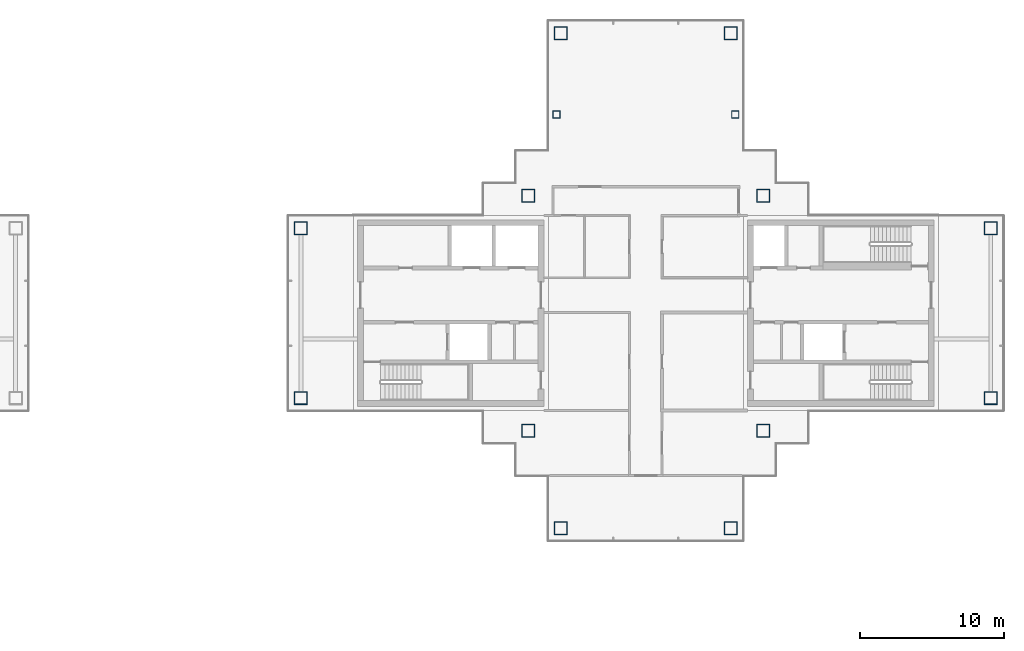
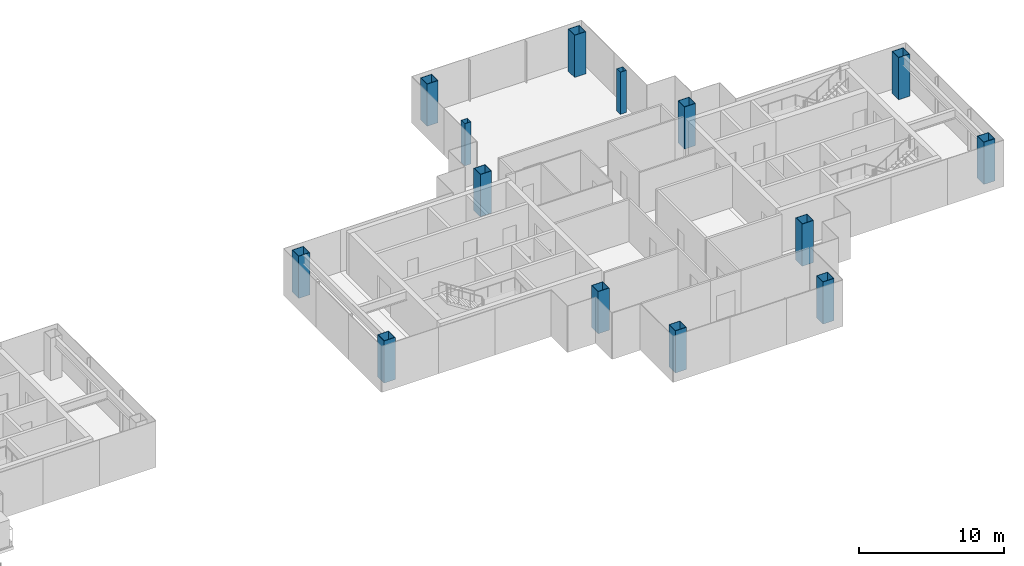
# One storey, part 2 of 16: 14 columns.
"""IFC4 building model written with IfcOpenShell, lengths in metres."""

from ifc_helpers import new_model, si_unit, direction, frame, origin, origin_2d, place, context, subcontext, project, spatial, hollow_rectangle, extrude, material, material_profile, profile_set, type_object, element, save


model = new_model("IFC4")

# Units and contexts
model_context = context("Model", 3, precision=1e-05, world=origin(), true_north=direction((0.0, 1.0)))
body_context = subcontext(model_context, "Body", "Model", "MODEL_VIEW")
ifc_project = project(units=[si_unit("LENGTHUNIT", "METRE"), si_unit("AREAUNIT", "SQUARE_METRE"), si_unit("VOLUMEUNIT", "CUBIC_METRE"), si_unit("PLANEANGLEUNIT", "RADIAN"), si_unit("MASSUNIT", "GRAM", prefix="KILO")], contexts=[model_context])

# Site, building, storey
site_placement = place(None, origin())
site = spatial("IfcSite", under=ifc_project, at=site_placement, CompositionType="ELEMENT")
building_placement = place(site_placement, origin())
building = spatial("IfcBuilding", under=site, at=building_placement, Name="Shamsa Quay Exchange Towers", CompositionType="ELEMENT")
storey_placement = place(building_placement, frame((0.0, 0.0, 261.60009765625)))
storey = spatial("IfcBuildingStorey", under=building, at=storey_placement, Name="L63", CompositionType="ELEMENT", Elevation=261.60009765625)

# Columns
ifc_material_1 = material(Name="Concrete-filled steel tube S355 / C60/75", Category="concrete")
ifc_material_profile_1 = material_profile(ifc_material_1, hollow_rectangle(XDim=0.5, YDim=0.5, WallThickness=0.01611328125, at=origin_2d()), Name="CFT 500x500x16")
ifc_profile_set_1 = profile_set([ifc_material_profile_1], Name="Concrete-filled steel tube S355 / C60/75")
column_type_1 = type_object("IfcColumnType", Name="Column CFT 500x500x16", PredefinedType="COLUMN", material=ifc_profile_set_1)
for number, where, name in (
    (1, (39.9375, 13.75, 0.0), "Perimeter column T2-CP05"),
    (2, (27.5625, 13.75, 0.0), "Perimeter column T2-CP09"),
):
    element("IfcColumn", number, at=place(storey_placement, frame(where)), inside=storey, type_object=column_type_1, Name=name, PredefinedType="COLUMN", context=body_context, shape_type="SweptSolid", body=[
        extrude(hollow_rectangle(XDim=0.5, YDim=0.5, WallThickness=0.01611328125, at=origin_2d()), origin(), (0.0, 0.0, 1.0), 3.5498046875),
    ])
ifc_material_2 = material(Name="Concrete-filled steel tube S355 / C80/95", Category="concrete")
ifc_material_profile_2 = material_profile(ifc_material_2, hollow_rectangle(XDim=0.89990234375, YDim=0.89990234375, WallThickness=0.035888671875, at=origin_2d()), Name="CFT 900x900x36")
ifc_profile_set_2 = profile_set([ifc_material_profile_2], Name="Concrete-filled steel tube S355 / C80/95")
column_type_2 = type_object("IfcColumnType", Name="Column CFT 900x900x36", PredefinedType="COLUMN", material=ifc_profile_set_2)
for number, where, name in (
    (3, (25.625, 8.125, 0.0), "Mega column T2-CM01"),
    (4, (41.875, 8.125, 0.0), "Mega column T2-CM02"),
    (5, (25.625, -8.125, 0.0), "Mega column T2-CM03"),
    (6, (41.875, -8.125, 0.0), "Mega column T2-CM04"),
    (7, (39.625, 19.375, 0.0), "Mega column T2-CM06"),
    (8, (27.875, 19.375, 0.0), "Mega column T2-CM10"),
    (9, (39.625, -14.875, 0.0), "Mega column T2-CM13"),
    (10, (27.875, -14.875, 0.0), "Mega column T2-CM16"),
    (11, (9.875, -5.875, 0.0), "Mega column T2-CM19"),
    (12, (9.875, 5.875, 0.0), "Mega column T2-CM20"),
    (13, (57.625, -5.875, 0.0), "Mega column T2-CM21"),
    (14, (57.625, 5.875, 0.0), "Mega column T2-CM23"),
):
    element("IfcColumn", number, at=place(storey_placement, frame(where)), inside=storey, type_object=column_type_2, Name=name, PredefinedType="COLUMN", context=body_context, shape_type="SweptSolid", body=[
        extrude(hollow_rectangle(XDim=0.89990234375, YDim=0.89990234375, WallThickness=0.035888671875, at=origin_2d()), origin(), (0.0, 0.0, 1.0), 3.5498046875),
    ])

save(model, "model.ifc")
